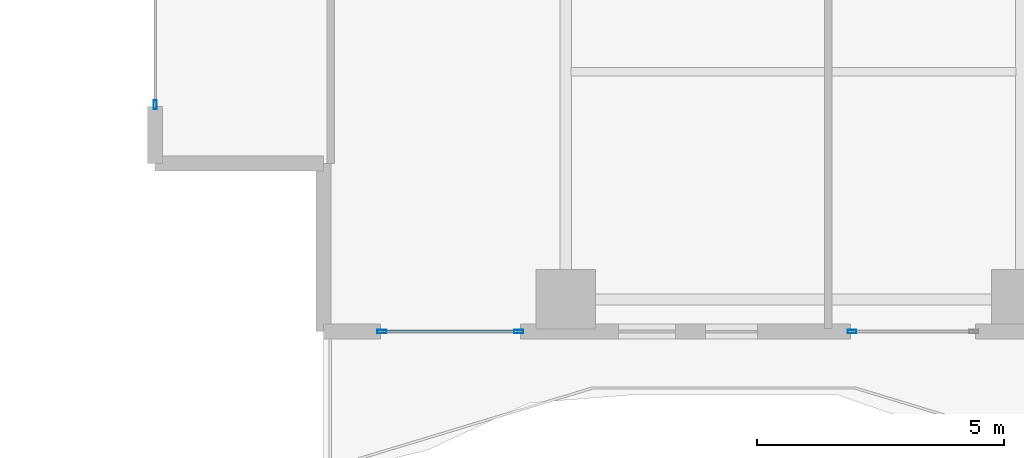
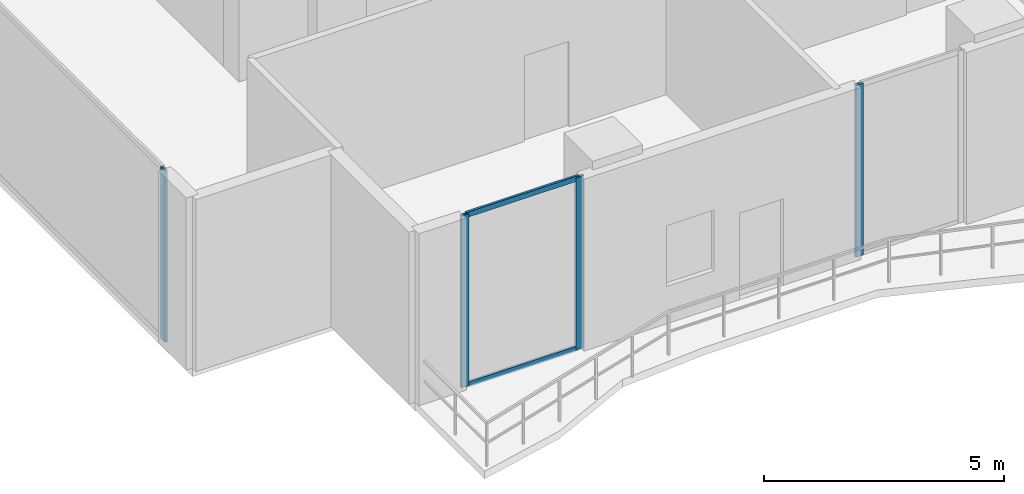
# One storey, part 2 of 31: 6 members, 3 elements without a shape of their own.
"""IFC4 building model written with IfcOpenShell, lengths in metres."""

from ifc_helpers import new_model, si_unit, direction, frame, origin, origin_2d, place, context, subcontext, project, spatial, hollow_rectangle, extrude, material, layer, layer_set, material_profile, profile_set, type_object, element, aggregate, save


model = new_model("IFC4")

# Units and contexts
model_context = context("Model", 3, precision=1e-05, world=origin(), true_north=direction((0.0, 1.0)))
body_context = subcontext(model_context, "Body", "Model", "MODEL_VIEW")
ifc_project = project(units=[si_unit("LENGTHUNIT", "METRE"), si_unit("AREAUNIT", "SQUARE_METRE"), si_unit("VOLUMEUNIT", "CUBIC_METRE"), si_unit("PLANEANGLEUNIT", "RADIAN"), si_unit("MASSUNIT", "GRAM", prefix="KILO")], contexts=[model_context])

# Site, building, storey
site_placement = place(None, origin())
site = spatial("IfcSite", under=ifc_project, at=site_placement, CompositionType="ELEMENT")
building_placement = place(site_placement, origin())
building = spatial("IfcBuilding", under=site, at=building_placement, Name="Zuhayl Quay Hotel", CompositionType="ELEMENT")
storey_placement = place(building_placement, frame((0.0, 0.0, 172.800048828125)))
storey = spatial("IfcBuildingStorey", under=building, at=storey_placement, Name="L43", CompositionType="ELEMENT", Elevation=172.800048828125)

# Curtain wall, member
ifc_material_1 = material(Name="Anodised Aluminium 6063-T6", Category="aluminium")
ifc_layer = layer(ifc_material_1, 0.175048828125, Name="Anodised Aluminium 6063-T6", Category="aluminium")
ifc_layer_set = layer_set([ifc_layer], Name="Anodised Aluminium 6063-T6")
curtain_wall_type = type_object("IfcCurtainWallType", Name="CW_SYS_Z3", PredefinedType="USERDEFINED", material=ifc_layer_set)
curtain_wall_1_placement = place(storey_placement, origin())
curtain_wall_1 = element("IfcCurtainWall", 1, at=curtain_wall_1_placement, inside=storey, type_object=curtain_wall_type, Name="L43 Curtain Wall ENV_L43_E02_CW1", ObjectType="UNITISED CURTAIN WALL", PredefinedType="USERDEFINED")
ifc_material_2 = material(Name="Black-anodised aluminium 6063-T6", Category="aluminium")
ifc_material_profile_1 = material_profile(ifc_material_2, hollow_rectangle(XDim=0.06494140625, YDim=0.179931640625, WallThickness=0.00341796875, at=origin_2d()), Name="ALU180X65")
ifc_profile_set_1 = profile_set([ifc_material_profile_1], Name="Black-anodised aluminium 6063-T6")
member_type_1 = type_object("IfcMemberType", Name="MB_CW_MUL_180", PredefinedType="MULLION", material=ifc_profile_set_1)
member_1_placement = place(storey_placement, frame((-22.10009765625, -3.017578125, 0.0), z_axis=(0.0, 0.0, 1.0), x_axis=(-1.0, 0.0, 0.0)))
member_1 = element("IfcMember", 2, at=member_1_placement, type_object=member_type_1, Name="CW-Z3 mullion 1", PredefinedType="MULLION", context=body_context, shape_type="SweptSolid", body=[
    extrude(hollow_rectangle(XDim=0.06494140625, YDim=0.179931640625, WallThickness=0.00341796875, at=origin_2d()), origin(), (0.0, 0.0, 1.0), 4.3798828125),
])
aggregate(curtain_wall_1, [member_1])

curtain_wall_2_placement = place(storey_placement, origin())
curtain_wall_2 = element("IfcCurtainWall", 3, at=curtain_wall_2_placement, inside=storey, type_object=curtain_wall_type, Name="L43 Curtain Wall ENV_L43_S_CW5", ObjectType="UNITISED CURTAIN WALL", PredefinedType="USERDEFINED")
member_2_placement = place(storey_placement, frame((-8.017578125, -7.60009765625, 0.0), z_axis=(0.0, 0.0, 1.0), x_axis=(0.0, -1.0, 0.0)))
member_2 = element("IfcMember", 4, at=member_2_placement, type_object=member_type_1, Name="CW-Z3 mullion 2", PredefinedType="MULLION", context=body_context, shape_type="SweptSolid", body=[
    extrude(hollow_rectangle(XDim=0.06494140625, YDim=0.179931640625, WallThickness=0.00341796875, at=origin_2d()), origin(), (0.0, 0.0, 1.0), 4.3798828125),
])
aggregate(curtain_wall_2, [member_2])

# Curtain wall, members
curtain_wall_3_placement = place(storey_placement, origin())
curtain_wall_3 = element("IfcCurtainWall", 5, at=curtain_wall_3_placement, inside=storey, type_object=curtain_wall_type, Name="L43 Curtain Wall ENV_L43_S_CW6", ObjectType="UNITISED CURTAIN WALL", PredefinedType="USERDEFINED")
member_3_placement = place(storey_placement, frame((-14.75244140625, -7.60009765625, 0.0), z_axis=(0.0, 0.0, 1.0), x_axis=(0.0, -1.0, 0.0)))
member_3 = element("IfcMember", 6, at=member_3_placement, type_object=member_type_1, Name="CW-Z3 mullion 1", PredefinedType="MULLION", context=body_context, shape_type="SweptSolid", body=[
    extrude(hollow_rectangle(XDim=0.06494140625, YDim=0.179931640625, WallThickness=0.00341796875, at=origin_2d()), origin(), (0.0, 0.0, 1.0), 4.3798828125),
])
member_4_placement = place(storey_placement, frame((-17.517578125, -7.60009765625, 0.0), z_axis=(0.0, 0.0, 1.0), x_axis=(0.0, -1.0, 0.0)))
member_4 = element("IfcMember", 7, at=member_4_placement, type_object=member_type_1, Name="CW-Z3 mullion 2", PredefinedType="MULLION", context=body_context, shape_type="SweptSolid", body=[
    extrude(hollow_rectangle(XDim=0.06494140625, YDim=0.179931640625, WallThickness=0.00341796875, at=origin_2d()), origin(), (0.0, 0.0, 1.0), 4.3798828125),
])
ifc_material_profile_2 = material_profile(ifc_material_2, hollow_rectangle(XDim=0.054931640625, YDim=0.1298828125, WallThickness=0.0029296875, at=origin_2d()), Name="ALU130X55")
ifc_profile_set_2 = profile_set([ifc_material_profile_2], Name="Black-anodised aluminium 6063-T6")
member_type_2 = type_object("IfcMemberType", Name="MB_CW_TRN_130", PredefinedType="USERDEFINED", material=ifc_profile_set_2)
member_5_placement = place(storey_placement, frame((-14.784912109375, -7.60009765625, 0.02734375), z_axis=(-1.0, 0.0, 0.0), x_axis=(0.0, -1.0, 0.0)))
member_5 = element("IfcMember", 8, at=member_5_placement, type_object=member_type_2, Name="CW-Z3 transom 1.1", ObjectType="TRANSOM", PredefinedType="USERDEFINED", context=body_context, shape_type="SweptSolid", body=[
    extrude(hollow_rectangle(XDim=0.054931640625, YDim=0.1298828125, WallThickness=0.0029296875, at=origin_2d()), origin(), (0.0, 0.0, 1.0), 2.7001953125),
])
member_6_placement = place(storey_placement, frame((-14.784912109375, -7.60009765625, 4.3525390625), z_axis=(-1.0, 0.0, 0.0), x_axis=(0.0, -1.0, 0.0)))
member_6 = element("IfcMember", 9, at=member_6_placement, type_object=member_type_2, Name="CW-Z3 transom 1.2", ObjectType="TRANSOM", PredefinedType="USERDEFINED", context=body_context, shape_type="SweptSolid", body=[
    extrude(hollow_rectangle(XDim=0.054931640625, YDim=0.1298828125, WallThickness=0.0029296875, at=origin_2d()), origin(), (0.0, 0.0, 1.0), 2.7001953125),
])
aggregate(curtain_wall_3, [member_3, member_4, member_5, member_6])

save(model, "model.ifc")
